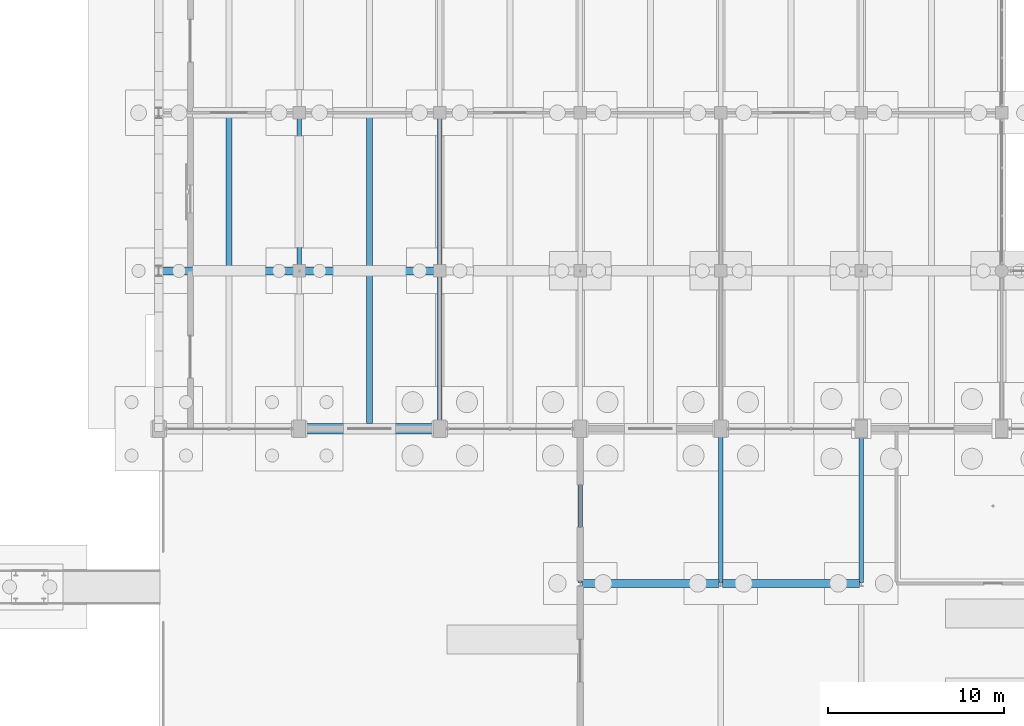
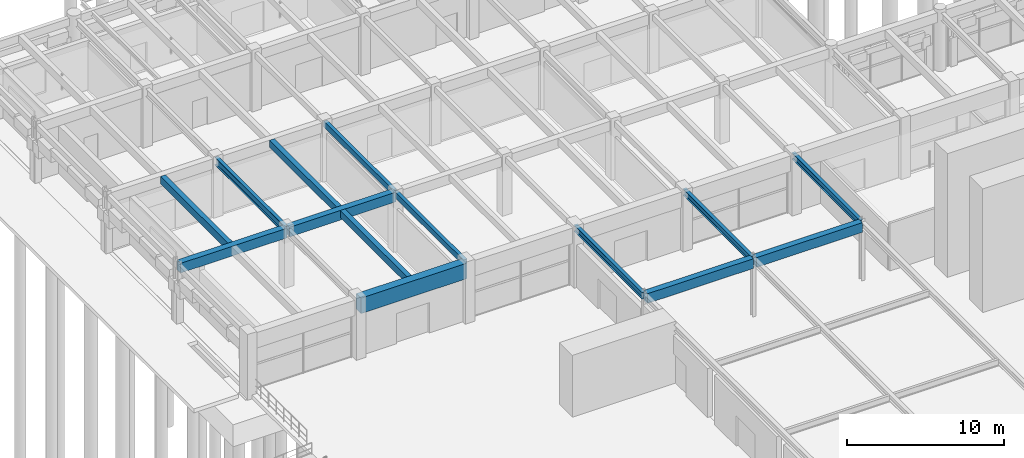
# One storey, part 45 of 147: 14 beams.
"""IFC4 building model written with IfcOpenShell, lengths in metres."""

from ifc_helpers import new_model, si_unit, direction, frame, origin, origin_2d, place, context, subcontext, project, spatial, rectangle, i_section, extrude, material, material_profile, profile_set, type_object, element, save


model = new_model("IFC4")

# Units and contexts
model_context = context("Model", 3, precision=1e-05, world=origin(), true_north=direction((0.0, 1.0)))
body_context = subcontext(model_context, "Body", "Model", "MODEL_VIEW")
ifc_project = project(units=[si_unit("LENGTHUNIT", "METRE"), si_unit("AREAUNIT", "SQUARE_METRE"), si_unit("VOLUMEUNIT", "CUBIC_METRE"), si_unit("PLANEANGLEUNIT", "RADIAN"), si_unit("MASSUNIT", "GRAM", prefix="KILO")], contexts=[model_context])

# Site, building, storey
site_placement = place(None, origin())
site = spatial("IfcSite", under=ifc_project, at=site_placement, CompositionType="ELEMENT")
building_placement = place(site_placement, origin())
building = spatial("IfcBuilding", under=site, at=building_placement, Name="Varnabhumi Central Station", CompositionType="ELEMENT")
storey_placement = place(building_placement, origin())
storey = spatial("IfcBuildingStorey", under=building, at=storey_placement, Name="L00", CompositionType="ELEMENT", Elevation=0.0)

# Beams
ifc_material_1 = material(Name="Concrete M50", Category="concrete")
ifc_material_profile_1 = material_profile(ifc_material_1, rectangle(XDim=0.60009765625, YDim=1.199951171875, at=origin_2d()), Name="Concrete M50", Category="concrete")
ifc_profile_set_1 = profile_set([ifc_material_profile_1], Name="Concrete M50")
beam_type_1 = type_object("IfcBeamType", Name="BM-RC-1200x600", PredefinedType="BEAM", material=ifc_profile_set_1)
beam_1_placement = place(storey_placement, frame((8.10009765625, 80.0, 3.949951171875), z_axis=(1.0, 0.0, 0.0), x_axis=(0.0, 1.0, 0.0)))
element("IfcBeam", 1, at=beam_1_placement, inside=storey, type_object=beam_type_1, Name="Beam L00-K:2-3", PredefinedType="BEAM", context=body_context, shape_type="SweptSolid", body=[
    extrude(rectangle(XDim=0.60009765625, YDim=1.199951171875, at=origin_2d()), origin(), (0.0, 0.0, 1.0), 7.7998046875),
])
ifc_material_2 = material(Name="Concrete M35", Category="concrete")
ifc_material_profile_2 = material_profile(ifc_material_2, rectangle(XDim=0.25, YDim=0.449951171875, at=origin_2d()), Name="Concrete M35", Category="concrete")
ifc_profile_set_2 = profile_set([ifc_material_profile_2], Name="Concrete M35")
beam_type_2 = type_object("IfcBeamType", Name="BM-RC-250x450", PredefinedType="LINTEL", material=ifc_profile_set_2)
for number, where, z_axis, x_axis, name in (
    (2, (16.0, 80.10009765625, 4.324951171875), (0.0, 1.0, 0.0), (-1.0, 0.0, 0.0), "Beam L00-3:K-L"),
    (3, (16.0, 89.10009765625, 4.324951171875), (0.0, 1.0, 0.0), (-1.0, 0.0, 0.0), "Beam L00-3:L-M"),
):
    element("IfcBeam", number, at=place(storey_placement, frame(where, z_axis=z_axis, x_axis=x_axis)), inside=storey, type_object=beam_type_2, Name=name, PredefinedType="LINTEL", context=body_context, shape_type="SweptSolid", body=[
        extrude(rectangle(XDim=0.25, YDim=0.449951171875, at=origin_2d()), origin(), (0.0, 0.0, 1.0), 8.7998046875),
    ])
ifc_material_3 = material(Name="Concrete M40", Category="concrete")
ifc_material_profile_3 = material_profile(ifc_material_3, rectangle(XDim=0.35009765625, YDim=0.550048828125, at=origin_2d()), Name="Concrete M40", Category="concrete")
ifc_profile_set_3 = profile_set([ifc_material_profile_3], Name="Concrete M40")
beam_type_3 = type_object("IfcBeamType", Name="BM-RC-350x550", PredefinedType="JOIST", material=ifc_profile_set_3)
beam_2_placement = place(storey_placement, frame((12.0, 80.300048828125, 4.27490234375), z_axis=(0.0, 1.0, 0.0), x_axis=(-1.0, 0.0, 0.0)))
element("IfcBeam", 4, at=beam_2_placement, inside=storey, type_object=beam_type_3, Name="Secondary Joist L00-2/3:K-L", PredefinedType="JOIST", context=body_context, shape_type="SweptSolid", body=[
    extrude(rectangle(XDim=0.35009765625, YDim=0.550048828125, at=origin_2d()), origin(), (0.0, 0.0, 1.0), 8.474853515625),
])
beam_3_placement = place(storey_placement, frame((12.0, 89.22509765625, 4.27490234375), z_axis=(0.0, 1.0, 0.0), x_axis=(-1.0, 0.0, 0.0)))
element("IfcBeam", 5, at=beam_3_placement, inside=storey, type_object=beam_type_3, Name="Secondary Joist L00-2/3:L-M", PredefinedType="JOIST", context=body_context, shape_type="SweptSolid", body=[
    extrude(rectangle(XDim=0.35009765625, YDim=0.550048828125, at=origin_2d()), origin(), (0.0, 0.0, 1.0), 8.5498046875),
])
ifc_material_profile_4 = material_profile(ifc_material_3, rectangle(XDim=0.449951171875, YDim=0.75, at=origin_2d()), Name="Concrete M40", Category="concrete")
ifc_profile_set_4 = profile_set([ifc_material_profile_4], Name="Concrete M40")
beam_type_4 = type_object("IfcBeamType", Name="BM-RC-450x750", PredefinedType="BEAM", material=ifc_profile_set_4)
for number, where, z_axis, x_axis, name in (
    (6, (0.10009765625, 89.0, 4.175048828125), (1.0, 0.0, 0.0), (0.0, 1.0, 0.0), "Beam L00-L:1-2"),
    (7, (8.10009765625, 89.0, 4.175048828125), (1.0, 0.0, 0.0), (0.0, 1.0, 0.0), "Beam L00-L:2-3"),
    (8, (24.10009765625, 71.199951171875, 4.205078125), (1.0, 0.0, 0.0), (0.0, 1.0, 0.0), "Beam L00-J:4-5"),
    (9, (32.10009765625, 71.199951171875, 4.205078125), (1.0, 0.0, 0.0), (0.0, 1.0, 0.0), "Beam L00-J:5-6"),
):
    element("IfcBeam", number, at=place(storey_placement, frame(where, z_axis=z_axis, x_axis=x_axis)), inside=storey, type_object=beam_type_4, Name=name, PredefinedType="BEAM", context=body_context, shape_type="SweptSolid", body=[
        extrude(rectangle(XDim=0.449951171875, YDim=0.75, at=origin_2d()), origin(), (0.0, 0.0, 1.0), 7.7998046875),
    ])
ifc_material_profile_5 = material_profile(ifc_material_3, rectangle(XDim=0.35009765625, YDim=0.60009765625, at=origin_2d()), Name="Concrete M40", Category="concrete")
ifc_profile_set_5 = profile_set([ifc_material_profile_5], Name="Concrete M40")
beam_type_5 = type_object("IfcBeamType", Name="BM-RC-600x350", PredefinedType="JOIST", material=ifc_profile_set_5)
beam_4_placement = place(storey_placement, frame((4.0, 89.22509765625, 4.25), z_axis=(0.0, 1.0, 0.0), x_axis=(-1.0, 0.0, 0.0)))
element("IfcBeam", 10, at=beam_4_placement, inside=storey, type_object=beam_type_5, Name="Secondary Joist L00-1/2:L-M", PredefinedType="JOIST", context=body_context, shape_type="SweptSolid", body=[
    extrude(rectangle(XDim=0.35009765625, YDim=0.60009765625, at=origin_2d()), origin(), (0.0, 0.0, 1.0), 8.5498046875),
])
ifc_material_4 = material(Name="Structural steel E350", Category="steel")
ifc_material_profile_6 = material_profile(ifc_material_4, i_section(OverallWidth=0.25, OverallDepth=0.5, WebThickness=0.010009765625, FlangeThickness=0.0146484375, FilletRadius=0.014892578125, at=origin_2d()), Name="Structural steel E350", Category="steel")
ifc_profile_set_6 = profile_set([ifc_material_profile_6], Name="Structural steel E350")
beam_type_6 = type_object("IfcBeamType", Name="BM-SEC-ISWB500", PredefinedType="BEAM", material=ifc_profile_set_6)
for number, where, z_axis, x_axis, name in (
    (11, (24.0, 71.25, 4.330078125), (0.0, 1.0, 0.0), (-1.0, 0.0, 0.0), "Gallery Girder 4:71-80"),
    (12, (32.0, 71.25, 4.330078125), (0.0, 1.0, 0.0), (-1.0, 0.0, 0.0), "Gallery Girder 5:71-80"),
    (13, (40.0, 71.25, 4.330078125), (0.0, 1.0, 0.0), (-1.0, 0.0, 0.0), "Gallery Girder 6:71-80"),
):
    element("IfcBeam", number, at=place(storey_placement, frame(where, z_axis=z_axis, x_axis=x_axis)), inside=storey, type_object=beam_type_6, Name=name, PredefinedType="BEAM", context=body_context, shape_type="SweptSolid", body=[
        extrude(i_section(OverallWidth=0.25, OverallDepth=0.5, WebThickness=0.010009765625, FlangeThickness=0.0146484375, FilletRadius=0.014892578125, at=origin_2d()), origin(), (0.0, 0.0, 1.0), 8.699951171875),
    ])
ifc_material_profile_7 = material_profile(ifc_material_4, i_section(OverallWidth=0.25, OverallDepth=0.60009765625, WebThickness=0.01171875, FlangeThickness=0.023681640625, FilletRadius=0.01708984375, at=origin_2d()), Name="Structural steel E350", Category="steel")
ifc_profile_set_7 = profile_set([ifc_material_profile_7], Name="Structural steel E350")
beam_type_7 = type_object("IfcBeamType", Name="BM-SEC-ISWB600", PredefinedType="BEAM", material=ifc_profile_set_7)
beam_5_placement = place(storey_placement, frame((8.0, 89.10009765625, 4.25), z_axis=(0.0, 1.0, 0.0), x_axis=(-1.0, 0.0, 0.0)))
element("IfcBeam", 14, at=beam_5_placement, inside=storey, type_object=beam_type_7, Name="Beam L00-2:L-M", PredefinedType="BEAM", context=body_context, shape_type="SweptSolid", body=[
    extrude(i_section(OverallWidth=0.25, OverallDepth=0.60009765625, WebThickness=0.01171875, FlangeThickness=0.023681640625, FilletRadius=0.01708984375, at=origin_2d()), origin(), (0.0, 0.0, 1.0), 8.7998046875),
])

save(model, "model.ifc")
